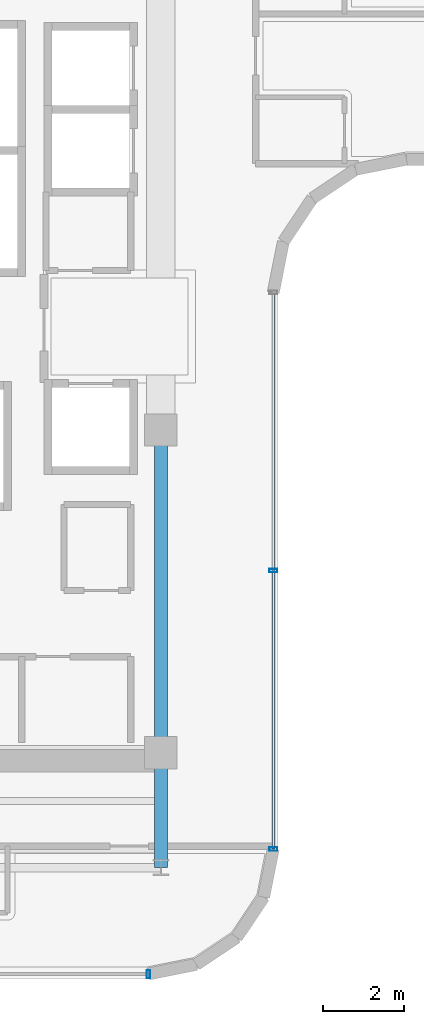
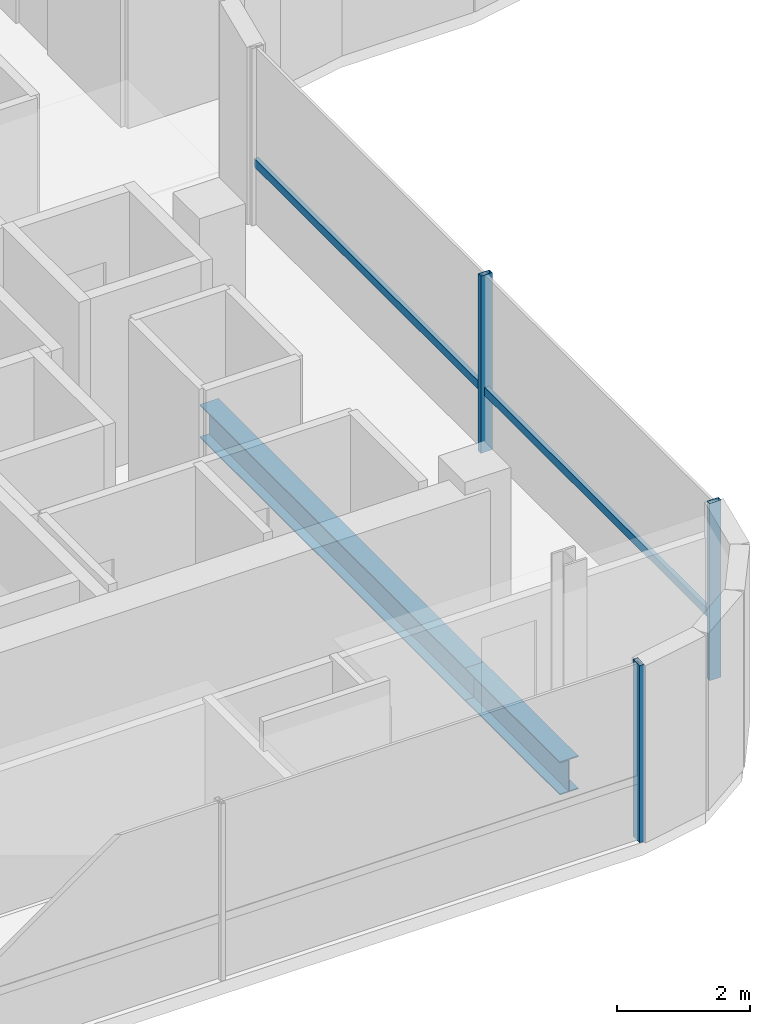
# One storey, part 5 of 20: 4 members, 2 beams, 2 elements without a shape of their own.
"""IFC4 building model written with IfcOpenShell, lengths in metres."""

import ifcopenshell
import ifcopenshell.guid

model = None  # the IFC model being written
_history = None  # IfcOwnerHistory: only IFC2X3 demands one
_inside = {}  # id of a spatial element -> (the spatial element, [elements in it])
_under = {}  # id of a project, library or spatial element -> (it, [spatial elements below it])
_declared = {}  # id of a project -> (the project, [libraries it declares])
_typed = {}  # id of a type object -> (the type object, [elements of that type])
_made_of = {}  # id of a material, layer set ... -> (it, [elements and type objects made of it])


def new_model(schema):
    """Start an empty IFC model of exactly this schema.

    Asked for "IFC4X3", IfcOpenShell would pick the latest addendum, in which some entities
    have other attributes; the version numbers below select the first issue.
    IFC2X3 requires an IfcOwnerHistory on every rooted entity: one is made here for all.
    """
    global model, _history
    if schema == "IFC4X3":
        model = ifcopenshell.file(schema_version=(4, 3, 0, 0))
    else:
        model = ifcopenshell.file(schema=schema)
    _inside.clear()
    _under.clear()
    _declared.clear()
    _typed.clear()
    _made_of.clear()
    _history = None
    if model.schema == "IFC2X3":
        org = make("IfcOrganization", Name="unknown")
        user = make(
            "IfcPersonAndOrganization",
            ThePerson=make("IfcPerson", FamilyName="unknown"),
            TheOrganization=org,
        )
        app = make(
            "IfcApplication",
            ApplicationDeveloper=org,
            Version="unknown",
            ApplicationFullName="unknown",
            ApplicationIdentifier="unknown",
        )
        _history = make(
            "IfcOwnerHistory",
            OwningUser=user,
            OwningApplication=app,
            ChangeAction="ADDED",
            CreationDate=0,
        )
    return model


def make(cls, **values):
    """One entity of the class cls with the attributes given. An attribute that is None is left unset."""
    return model.create_entity(
        cls, **{name: value for name, value in values.items() if value is not None}
    )


def rooted(cls, **values):
    """An entity with a GlobalId (a new one), such as an element, a storey or a relation."""
    return make(cls, GlobalId=ifcopenshell.guid.new(), OwnerHistory=_history, **values)


def si_unit(unit_type, name, prefix=None):
    """IfcSIUnit, for example si_unit("LENGTHUNIT", "METRE", prefix="MILLI")."""
    return make("IfcSIUnit", UnitType=unit_type, Prefix=prefix, Name=name)


def assignment(units):
    """IfcUnitAssignment: the units of a project."""
    return None if units is None else make("IfcUnitAssignment", Units=units)


def point(xyz):
    """IfcCartesianPoint."""
    return None if xyz is None else make("IfcCartesianPoint", Coordinates=xyz)


def direction(xyz):
    """IfcDirection."""
    return None if xyz is None else make("IfcDirection", DirectionRatios=xyz)


def frame(location, z_axis=None, x_axis=None):
    """IfcAxis2Placement3D, a coordinate frame: its origin and axes. An axis left out is left unset."""
    return make(
        "IfcAxis2Placement3D",
        Location=point(location),
        Axis=direction(z_axis),
        RefDirection=direction(x_axis),
    )


def frame_2d(location, x_axis=None):
    """IfcAxis2Placement2D, a coordinate frame in the plane: its origin and x axis."""
    return make(
        "IfcAxis2Placement2D", Location=point(location), RefDirection=direction(x_axis)
    )


def origin():
    """The frame at (0, 0, 0) with its axes left unset."""
    return frame((0.0, 0.0, 0.0))


def origin_2d():
    """The frame at (0, 0) in the plane with its x axis left unset."""
    return frame_2d((0.0, 0.0))


def place(relative_to, where):
    """IfcLocalPlacement: puts the frame where relative to a parent placement (None: the world)."""
    return make(
        "IfcLocalPlacement", PlacementRelTo=relative_to, RelativePlacement=where
    )


def context(
    kind, dimensions, precision=None, world=None, true_north=None, identifier=None
):
    """IfcGeometricRepresentationContext, for example the 3D "Model" context."""
    return make(
        "IfcGeometricRepresentationContext",
        ContextIdentifier=identifier,
        ContextType=kind,
        CoordinateSpaceDimension=dimensions,
        Precision=precision,
        WorldCoordinateSystem=world,
        TrueNorth=true_north,
    )


def subcontext(parent, identifier, kind, view, scale=None):
    """IfcGeometricRepresentationSubContext, for example "Body" below "Model"."""
    return make(
        "IfcGeometricRepresentationSubContext",
        ContextIdentifier=identifier,
        ContextType=kind,
        ParentContext=parent,
        TargetScale=scale,
        TargetView=view,
    )


def project(units=None, contexts=None):
    """IfcProject with its units and contexts."""
    return rooted(
        "IfcProject",
        Name="project",
        RepresentationContexts=contexts,
        UnitsInContext=assignment(units),
    )


def spatial(cls, under=None, at=None, **own):
    """A site, building, storey or space (cls), placed at a placement, below another one or the project."""
    s = rooted(cls, ObjectPlacement=at, **own)
    if under is not None:
        _under.setdefault(under.id(), (under, []))[1].append(s)
    return s


def profile(cls, at=None, kind="AREA", **sizes):
    """A parametric profile (cls). Its sizes go by their IFC names, for example OverallWidth=200.0."""
    return make(cls, ProfileType=kind, Position=at, **sizes)


def hollow_rectangle(**sizes):
    """IfcRectangleHollowProfileDef."""
    return profile("IfcRectangleHollowProfileDef", **sizes)


def i_section(**sizes):
    """IfcIShapeProfileDef."""
    return profile("IfcIShapeProfileDef", **sizes)


def extrude(swept, where, along, depth):
    """IfcExtrudedAreaSolid: the profile swept, set in the frame where, extruded along a direction by depth."""
    return make(
        "IfcExtrudedAreaSolid",
        SweptArea=swept,
        Position=where,
        ExtrudedDirection=direction(along),
        Depth=depth,
    )


def shape(context_of_items, identifier, shape_type, items):
    """IfcShapeRepresentation: the items that make up one representation, for example the "Body"."""
    return make(
        "IfcShapeRepresentation",
        ContextOfItems=context_of_items,
        RepresentationIdentifier=identifier,
        RepresentationType=shape_type,
        Items=items,
    )


def source(mapping_origin, context_of_items, identifier, shape_type, items):
    """IfcRepresentationMap: a shape defined once, which mapped items show again and again."""
    return make(
        "IfcRepresentationMap",
        MappingOrigin=mapping_origin,
        MappedRepresentation=shape(context_of_items, identifier, shape_type, items),
    )


def transform(
    local_origin,
    x_axis=None,
    y_axis=None,
    z_axis=None,
    scale=None,
    scale2=None,
    scale3=None,
    uniform=True,
):
    """IfcCartesianTransformationOperator3D, or its non-uniform kind. x_axis, y_axis, z_axis: its Axis1, 2, 3."""
    if uniform:
        return make(
            "IfcCartesianTransformationOperator3D",
            Axis1=direction(x_axis),
            Axis2=direction(y_axis),
            LocalOrigin=point(local_origin),
            Scale=scale,
            Axis3=direction(z_axis),
        )
    return make(
        "IfcCartesianTransformationOperator3DnonUniform",
        Axis1=direction(x_axis),
        Axis2=direction(y_axis),
        LocalOrigin=point(local_origin),
        Scale=scale,
        Axis3=direction(z_axis),
        Scale2=scale2,
        Scale3=scale3,
    )


def mapped(mapping_source, mapping_target):
    """IfcMappedItem: shows the shape of a source again, moved by a transform."""
    return make(
        "IfcMappedItem", MappingSource=mapping_source, MappingTarget=mapping_target
    )


def material(Name=None, Category=None):
    """IfcMaterial."""
    return make("IfcMaterial", Name=Name, Category=Category)


def material_profile(
    of_material, cross_section, Name=None, Category=None, Priority=None
):
    """IfcMaterialProfile: a cross section and its material."""
    return make(
        "IfcMaterialProfile",
        Name=Name,
        Material=of_material,
        Profile=cross_section,
        Priority=Priority,
        Category=Category,
    )


def profile_set(profiles, Name=None, composite=None):
    """IfcMaterialProfileSet."""
    return make(
        "IfcMaterialProfileSet",
        Name=Name,
        MaterialProfiles=profiles,
        CompositeProfile=composite,
    )


def made_of(thing, what):
    """Note that an element or type object is made of a material, layer set ...; save() writes the relation."""
    if what is not None:
        _made_of.setdefault(what.id(), (what, []))[1].append(thing)
    return thing


def type_object(cls, material=None, **own):
    """A type object (cls), such as IfcWallType, which elements share."""
    return made_of(rooted(cls, **own), material)


def element(
    cls,
    number,
    at=None,
    inside=None,
    cuts=None,
    type_object=None,
    material=None,
    context=None,
    identifier="Body",
    shape_type=None,
    held_by="IfcProductDefinitionShape",
    body=None,
    shapes=None,
    **own,
):
    """One element of the class cls, such as IfcWall. Its Tag is "e" and its number.

    at: its placement. inside: the storey or other place that contains it. cuts: it is an
    opening in that element (IfcRelVoidsElement). A single representation is given by context,
    identifier, shape_type and body (its items); several are given by shapes. held_by: the class
    of the entity that holds the representations. save() writes the other relations.
    """
    e = rooted(cls, Tag="e%d" % number, ObjectPlacement=at, **own)
    if body is not None:
        shapes = [shape(context, identifier, shape_type, body)]
    if shapes is not None:
        e.Representation = make(held_by, Representations=shapes)
    if inside is not None:
        _inside.setdefault(inside.id(), (inside, []))[1].append(e)
    if cuts is not None:
        rooted(
            "IfcRelVoidsElement", RelatingBuildingElement=cuts, RelatedOpeningElement=e
        )
    if type_object is not None:
        _typed.setdefault(type_object.id(), (type_object, []))[1].append(e)
    return made_of(e, material)


def aggregate(whole, parts):
    """IfcRelAggregates: a whole, such as a stair, and the parts it consists of."""
    return rooted("IfcRelAggregates", RelatingObject=whole, RelatedObjects=parts)


def save(model, path):
    """Write the relations noted so far, then the file.

    IfcRelAggregates (storeys below a building ...), IfcRelContainedInSpatialStructure (elements
    in a storey), IfcRelDefinesByType, IfcRelAssociatesMaterial and IfcRelDeclares: one each for
    every whole, place, type object, material and project.
    """
    for whole, parts in _under.values():
        aggregate(whole, parts)
    for where, things in _inside.values():
        rooted(
            "IfcRelContainedInSpatialStructure",
            RelatedElements=things,
            RelatingStructure=where,
        )
    for kind, things in _typed.values():
        rooted("IfcRelDefinesByType", RelatedObjects=things, RelatingType=kind)
    for what, things in _made_of.values():
        rooted("IfcRelAssociatesMaterial", RelatedObjects=things, RelatingMaterial=what)
    for by, libraries in _declared.values():
        rooted("IfcRelDeclares", RelatingContext=by, RelatedDefinitions=libraries)
    model.write(path)


model = new_model("IFC4")

# Units and contexts
model_context = context("Model", 3, precision=1e-05, world=origin(), true_north=direction((0.0, 1.0)))
body_context = subcontext(model_context, "Body", "Model", "MODEL_VIEW")
ifc_project = project(units=[si_unit("LENGTHUNIT", "METRE"), si_unit("AREAUNIT", "SQUARE_METRE"), si_unit("VOLUMEUNIT", "CUBIC_METRE"), si_unit("PLANEANGLEUNIT", "RADIAN"), si_unit("MASSUNIT", "GRAM", prefix="KILO")], contexts=[model_context])

# Site, building, storey
site_placement = place(None, origin())
site = spatial("IfcSite", under=ifc_project, at=site_placement, CompositionType="ELEMENT")
building_placement = place(site_placement, origin())
building = spatial("IfcBuilding", under=site, at=building_placement, Name="Valdorenza Pilgrim Sanctuary Tower", CompositionType="ELEMENT")
storey_placement = place(building_placement, frame((0.0, 0.0, 244.0)))
storey = spatial("IfcBuildingStorey", under=building, at=storey_placement, Name="L63", CompositionType="ELEMENT", Elevation=244.0)

# Beams
ifc_material_1 = material(Name="Steel ASTM A992 Grade 50", Category="steel")
ifc_material_profile_1 = material_profile(ifc_material_1, i_section(OverallWidth=0.323974609375, OverallDepth=0.611083984375, WebThickness=0.0126953125, FlangeThickness=0.01904296875, at=origin_2d()), Name="W24X104")
ifc_profile_set_1 = profile_set([ifc_material_profile_1], Name="Steel ASTM A992 Grade 50")
beam_type = type_object("IfcBeamType", Name="STR-BM-GRD-W24B", PredefinedType="BEAM", material=ifc_profile_set_1)
shared_shape_1 = source(origin(), body_context, "Body", "SweptSolid", [
    extrude(i_section(OverallWidth=0.323974609375, OverallDepth=0.611083984375, WebThickness=0.0126953125, FlangeThickness=0.01904296875, at=origin_2d()), origin(), (0.0, 0.0, 1.0), 8.0),
])
beam_1_placement = place(storey_placement, frame((-12.39990234375, -10.60009765625, -0.54541015625), z_axis=(0.0, 1.0, 0.0), x_axis=(-1.0, 0.0, 0.0)))
element("IfcBeam", 1, at=beam_1_placement, inside=storey, type_object=beam_type, Name="L63 Core Tie Girder CA-E-S1M0", PredefinedType="BEAM", context=body_context, shape_type="MappedRepresentation", body=[
    mapped(shared_shape_1, transform((0.0, 0.0, 0.0), x_axis=(1.0, 0.0, 0.0), y_axis=(0.0, 1.0, 0.0), z_axis=(0.0, 0.0, 1.0), scale=1.0)),
])
shared_shape_2 = source(origin(), body_context, "Body", "SweptSolid", [
    extrude(i_section(OverallWidth=0.323974609375, OverallDepth=0.611083984375, WebThickness=0.0126953125, FlangeThickness=0.01904296875, at=origin_2d()), origin(), (0.0, 0.0, 1.0), 2.849853515625),
])
beam_2_placement = place(storey_placement, frame((-12.39990234375, -13.449951171875, -0.54541015625), z_axis=(0.0, 1.0, 0.0), x_axis=(-1.0, 0.0, 0.0)))
element("IfcBeam", 2, at=beam_2_placement, inside=storey, type_object=beam_type, Name="L63 Floor Girder WA-S-LE", PredefinedType="BEAM", context=body_context, shape_type="MappedRepresentation", body=[
    mapped(shared_shape_2, transform((0.0, 0.0, 0.0), x_axis=(1.0, 0.0, 0.0), y_axis=(0.0, 1.0, 0.0), z_axis=(0.0, 0.0, 1.0), scale=1.0)),
])

# Curtain wall, members
ifc_material_2 = material(Name="Curtain-wall IGU glazing", Category="glass")
curtain_wall_type = type_object("IfcCurtainWallType", Name="CW-SYS-02", PredefinedType="NOTDEFINED", material=ifc_material_2)
curtain_wall_1_placement = place(storey_placement, origin())
curtain_wall_1 = element("IfcCurtainWall", 3, at=curtain_wall_1_placement, inside=storey, type_object=curtain_wall_type, Name="L63 Curtain Wall CW-L63-1-21", PredefinedType="NOTDEFINED")
ifc_material_3 = material(Name="Anodised aluminium AW-6060", Category="aluminium")
ifc_material_profile_2 = material_profile(ifc_material_3, hollow_rectangle(XDim=0.0849609375, YDim=0.199951171875, WallThickness=0.0048828125, at=origin_2d()), Name="ALU-M 200x85x5")
ifc_profile_set_2 = profile_set([ifc_material_profile_2], Name="Anodised aluminium AW-6060")
member_type_1 = type_object("IfcMemberType", Name="CW-MUL-02", PredefinedType="MULLION", material=ifc_profile_set_2)
shared_shape_3 = source(origin(), body_context, "Body", "SweptSolid", [
    extrude(hollow_rectangle(XDim=0.0849609375, YDim=0.199951171875, WallThickness=0.0048828125, at=origin_2d()), origin(), (0.0, 0.0, 1.0), 3.260009765625),
])
member_1_placement = place(storey_placement, frame((-9.610107421875, -6.089111328125, 0.0), z_axis=(0.0, 0.0, 1.0), x_axis=(0.0, -1.0, 0.0)))
member_1 = element("IfcMember", 4, at=member_1_placement, type_object=member_type_1, Name="CW-L63-1-21 Mullion 2", PredefinedType="MULLION", context=body_context, shape_type="MappedRepresentation", body=[
    mapped(shared_shape_3, transform((0.0, 0.0, 0.0), x_axis=(1.0, 0.0, 0.0), y_axis=(0.0, 1.0, 0.0), z_axis=(0.0, 0.0, 1.0), scale=1.0)),
])
member_2_placement = place(storey_placement, frame((-9.610107421875, -12.9892578125, 0.0), z_axis=(0.0, 0.0, 1.0), x_axis=(0.0, -1.0, 0.0)))
member_2 = element("IfcMember", 5, at=member_2_placement, type_object=member_type_1, Name="CW-L63-1-21 Mullion 3", PredefinedType="MULLION", context=body_context, shape_type="MappedRepresentation", body=[
    mapped(shared_shape_3, transform((0.0, 0.0, 0.0), x_axis=(1.0, 0.0, 0.0), y_axis=(0.0, 1.0, 0.0), z_axis=(0.0, 0.0, 1.0), scale=1.0)),
])

# Curtain wall, member
curtain_wall_2_placement = place(storey_placement, origin())
curtain_wall_2 = element("IfcCurtainWall", 6, at=curtain_wall_2_placement, inside=storey, type_object=curtain_wall_type, Name="L63 Curtain Wall CW-L63-1-26", PredefinedType="NOTDEFINED")
member_3_placement = place(storey_placement, frame((-12.710693359375, -16.090087890625, 0.0), z_axis=(0.0, 0.0, 1.0), x_axis=(-1.0, 0.0, 0.0)))
member_3 = element("IfcMember", 7, at=member_3_placement, type_object=member_type_1, Name="CW-L63-1-26 Mullion 1", PredefinedType="MULLION", context=body_context, shape_type="MappedRepresentation", body=[
    mapped(shared_shape_3, transform((0.0, 0.0, 0.0), x_axis=(1.0, 0.0, 0.0), y_axis=(0.0, 1.0, 0.0), z_axis=(0.0, 0.0, 1.0), scale=1.0)),
])
aggregate(curtain_wall_2, [member_3])

# Member
ifc_material_profile_3 = material_profile(ifc_material_3, hollow_rectangle(XDim=0.074951171875, YDim=0.14990234375, WallThickness=0.00390625, at=origin_2d()), Name="ALU-T 150x75x4")
ifc_profile_set_3 = profile_set([ifc_material_profile_3], Name="Anodised aluminium AW-6060")
member_type_2 = type_object("IfcMemberType", Name="CW-TRN-02", PredefinedType="USERDEFINED", material=ifc_profile_set_3)
shared_shape_4 = source(origin(), body_context, "Body", "SweptSolid", [
    extrude(hollow_rectangle(XDim=0.074951171875, YDim=0.14990234375, WallThickness=0.00390625, at=origin_2d()), origin(), (0.0, 0.0, 1.0), 13.800048828125),
])
member_4_placement = place(storey_placement, frame((-9.610107421875, 0.810791015625, 1.1201171875), z_axis=(0.0, -1.0, 0.0), x_axis=(1.0, 0.0, 0.0)))
member_4 = element("IfcMember", 8, at=member_4_placement, type_object=member_type_2, Name="CW-L63-1-21 Transom 1", ObjectType="TRANSOM", PredefinedType="USERDEFINED", context=body_context, shape_type="MappedRepresentation", body=[
    mapped(shared_shape_4, transform((0.0, 0.0, 0.0), x_axis=(1.0, 0.0, 0.0), y_axis=(0.0, 1.0, 0.0), z_axis=(0.0, 0.0, 1.0), scale=1.0)),
])

aggregate(curtain_wall_1, [member_1, member_2, member_4])

save(model, "model.ifc")
